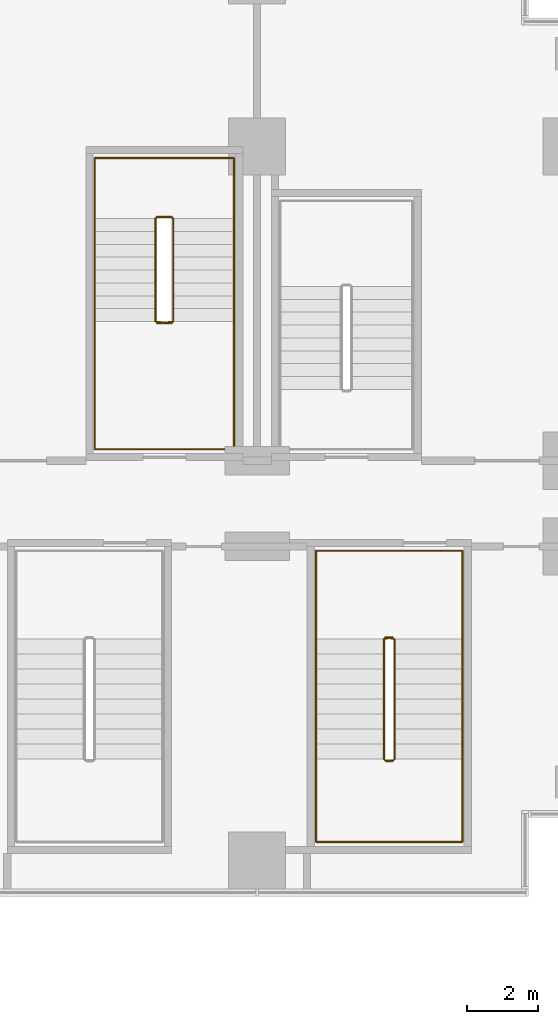
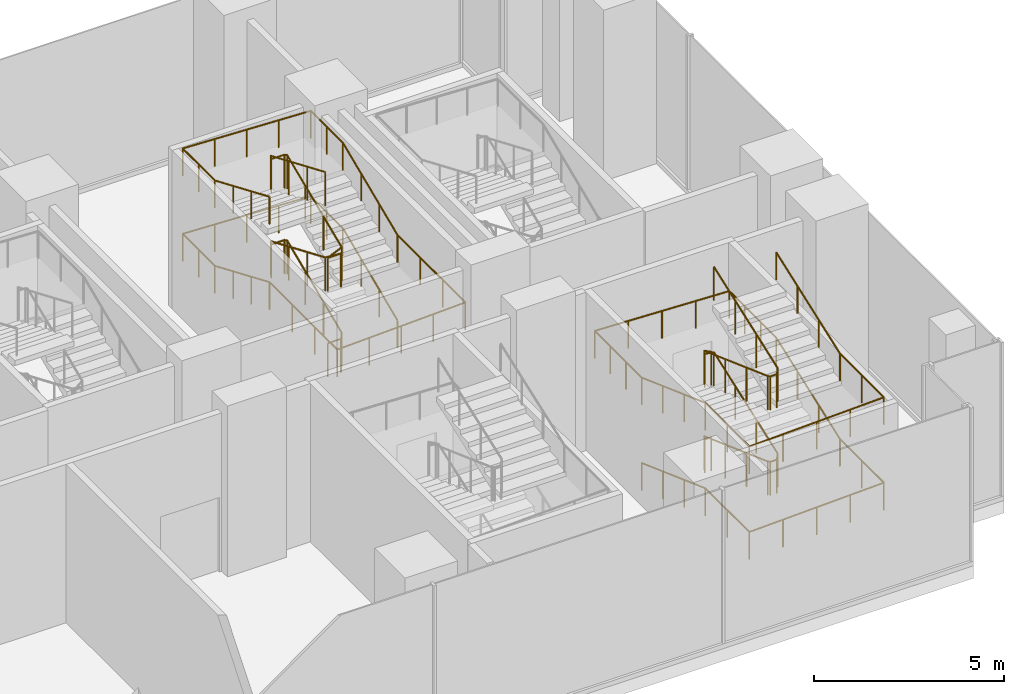
# One storey, part 29 of 30: 4 railings.
"""IFC4 building model written with IfcOpenShell, lengths in metres."""

from ifc_helpers import new_model, si_unit, direction, frame, origin, origin_2d, place, context, subcontext, project, spatial, circle, extrude, material, type_object, element, save


model = new_model("IFC4")

# Units and contexts
model_context = context("Model", 3, precision=1e-05, world=origin(), true_north=direction((0.0, 1.0)))
body_context = subcontext(model_context, "Body", "Model", "MODEL_VIEW")
ifc_project = project(units=[si_unit("LENGTHUNIT", "METRE"), si_unit("AREAUNIT", "SQUARE_METRE"), si_unit("VOLUMEUNIT", "CUBIC_METRE"), si_unit("PLANEANGLEUNIT", "RADIAN"), si_unit("MASSUNIT", "GRAM", prefix="KILO")], contexts=[model_context])

# Site, building, storey
site_placement = place(None, origin())
site = spatial("IfcSite", under=ifc_project, at=site_placement, CompositionType="ELEMENT")
building_placement = place(site_placement, origin())
building = spatial("IfcBuilding", under=site, at=building_placement, Name="Kemantara Hotel Tower", CompositionType="ELEMENT")
storey_placement = place(building_placement, frame((0.0, 0.0, 7.5)))
storey = spatial("IfcBuildingStorey", under=building, at=storey_placement, Name="L01", CompositionType="ELEMENT", Elevation=7.5)

# Railings
ifc_material = material(Name="Stainless steel balustrade", Category="steel")
railing_type_1 = type_object("IfcRailingType", Name="Stair guard 1100 mm", PredefinedType="GUARDRAIL", material=ifc_material)
railing_1_placement = place(storey_placement, frame((68.550048828125, 16.10009765625, 5.5)))
element("IfcRailing", 1, at=railing_1_placement, inside=storey, type_object=railing_type_1, Name="L01 PS1 stair guard 1", PredefinedType="GUARDRAIL", context=body_context, shape_type="SweptSolid", body=[
    extrude(circle(Radius=0.02392578125, at=origin_2d()), frame((0.0, 0.0, 1.076171875), z_axis=(0.0, 0.920535863683, -0.390658064903), x_axis=(-1.0, 0.0, 0.0)), (0.0, 0.0, 1.0), 3.12841796875),
    extrude(circle(Radius=0.02392578125, at=origin_2d()), frame((0.0, 2.8798828125, -0.14599609375), z_axis=(0.297155754911, 0.297155754911, -0.90741220768), x_axis=(-0.707106781187, 0.707106781187, 0.0)), (0.0, 0.0, 1.0), 0.16845703125),
    extrude(circle(Radius=0.02392578125, at=origin_2d()), frame((0.050048828125, 2.929931640625, -0.298828125), z_axis=(1.0, 0.0, 0.0), x_axis=(0.0, 1.0, 0.0)), (0.0, 0.0, 1.0), 0.39990234375),
    extrude(circle(Radius=0.02392578125, at=origin_2d()), frame((0.449951171875, 2.929931640625, -0.298828125), z_axis=(0.707106781187, -0.707106781187, 0.0), x_axis=(0.707106781187, 0.707106781187, 0.0)), (0.0, 0.0, 1.0), 0.07080078125),
    extrude(circle(Radius=0.02392578125, at=origin_2d()), frame((0.5, 2.8798828125, -0.298828125), z_axis=(0.0, -0.920535863683, -0.390658064903), x_axis=(1.0, 0.0, 0.0)), (0.0, 0.0, 1.0), 3.12841796875),
    extrude(circle(Radius=0.02392578125, at=origin_2d()), frame((0.5, 0.0, -1.52099609375), z_axis=(-0.941661397821, -0.104742586301, -0.319848092803), x_axis=(0.110549901152, -0.993870574751, 0.0)), (0.0, 0.0, 1.0), 0.477783203125),
    extrude(circle(Radius=0.02392578125, at=origin_2d()), frame((0.050048828125, -0.050048828125, -1.673828125), z_axis=(1.0, 0.0, 0.0), x_axis=(0.0, 1.0, 0.0)), (0.0, 0.0, 1.0), 0.39990234375),
    extrude(circle(Radius=0.02392578125, at=origin_2d()), frame((0.449951171875, -0.050048828125, -1.673828125), z_axis=(-0.993870574751, 0.110549901152, 0.0), x_axis=(-0.110549901152, -0.993870574751, 0.0)), (0.0, 0.0, 1.0), 0.45263671875),
    extrude(circle(Radius=0.02392578125, at=origin_2d()), frame((0.0, 0.0, -1.673828125), z_axis=(0.0, 0.920535863683, -0.390658064903), x_axis=(-1.0, 0.0, 0.0)), (0.0, 0.0, 1.0), 3.12841796875),
    extrude(circle(Radius=0.02392578125, at=origin_2d()), frame((0.0, 2.8798828125, -2.89599609375), z_axis=(0.297155754911, 0.297155754911, -0.90741220768), x_axis=(-0.707106781187, 0.707106781187, 0.0)), (0.0, 0.0, 1.0), 0.16845703125),
    extrude(circle(Radius=0.02392578125, at=origin_2d()), frame((0.050048828125, 2.929931640625, -3.048828125), z_axis=(1.0, 0.0, 0.0), x_axis=(0.0, 1.0, 0.0)), (0.0, 0.0, 1.0), 0.39990234375),
    extrude(circle(Radius=0.02392578125, at=origin_2d()), frame((0.449951171875, 2.929931640625, -3.048828125), z_axis=(0.707106781187, -0.707106781187, 0.0), x_axis=(0.707106781187, 0.707106781187, 0.0)), (0.0, 0.0, 1.0), 0.07080078125),
    extrude(circle(Radius=0.02392578125, at=origin_2d()), frame((0.5, 2.8798828125, -3.048828125), z_axis=(0.0, -0.920535863683, -0.390658064903), x_axis=(1.0, 0.0, 0.0)), (0.0, 0.0, 1.0), 3.12841796875),
    extrude(circle(Radius=0.02392578125, at=origin_2d()), frame((0.5, 0.0, -4.27099609375), z_axis=(-0.297155754911, -0.297155754911, -0.90741220768), x_axis=(0.707106781187, -0.707106781187, 0.0)), (0.0, 0.0, 1.0), 0.16845703125),
    extrude(circle(Radius=0.02392578125, at=origin_2d()), frame((0.449951171875, -0.050048828125, -4.423828125), z_axis=(-1.0, 0.0, 0.0), x_axis=(0.0, -1.0, 0.0)), (0.0, 0.0, 1.0), 0.39990234375),
    extrude(circle(Radius=0.02099609375, at=origin_2d()), origin(), (0.0, 0.0, 1.0), 1.052001953125),
    extrude(circle(Radius=0.02099609375, at=origin_2d()), frame((0.0, 0.9599609375, -0.407470703125)), (0.0, 0.0, 1.0), 1.052001953125),
    extrude(circle(Radius=0.02099609375, at=origin_2d()), frame((0.0, 1.919921875, -0.814697265625)), (0.0, 0.0, 1.0), 1.052001953125),
    extrude(circle(Radius=0.02099609375, at=origin_2d()), frame((0.0, 2.8798828125, -1.22216796875)), (0.0, 0.0, 1.0), 1.052001953125),
    extrude(circle(Radius=0.02099609375, at=origin_2d()), frame((0.050048828125, 2.929931640625, -1.375)), (0.0, 0.0, 1.0), 1.052001953125),
    extrude(circle(Radius=0.02099609375, at=origin_2d()), frame((0.449951171875, 2.929931640625, -1.375)), (0.0, 0.0, 1.0), 1.052001953125),
    extrude(circle(Radius=0.02099609375, at=origin_2d()), frame((0.5, 2.8798828125, -1.375)), (0.0, 0.0, 1.0), 1.052001953125),
    extrude(circle(Radius=0.02099609375, at=origin_2d()), frame((0.5, 1.919921875, -1.782470703125)), (0.0, 0.0, 1.0), 1.052001953125),
    extrude(circle(Radius=0.02099609375, at=origin_2d()), frame((0.5, 0.9599609375, -2.189697265625)), (0.0, 0.0, 1.0), 1.052001953125),
    extrude(circle(Radius=0.02099609375, at=origin_2d()), frame((0.5, 0.0, -2.59716796875)), (0.0, 0.0, 1.0), 1.052001953125),
    extrude(circle(Radius=0.02099609375, at=origin_2d()), frame((0.050048828125, -0.050048828125, -2.75)), (0.0, 0.0, 1.0), 1.052001953125),
    extrude(circle(Radius=0.02099609375, at=origin_2d()), frame((0.449951171875, -0.050048828125, -2.75)), (0.0, 0.0, 1.0), 1.052001953125),
    extrude(circle(Radius=0.02099609375, at=origin_2d()), frame((0.0, 0.0, -2.75)), (0.0, 0.0, 1.0), 1.052001953125),
    extrude(circle(Radius=0.02099609375, at=origin_2d()), frame((0.0, 0.9599609375, -3.157470703125)), (0.0, 0.0, 1.0), 1.052001953125),
    extrude(circle(Radius=0.02099609375, at=origin_2d()), frame((0.0, 1.919921875, -3.564697265625)), (0.0, 0.0, 1.0), 1.052001953125),
    extrude(circle(Radius=0.02099609375, at=origin_2d()), frame((0.0, 2.8798828125, -3.97216796875)), (0.0, 0.0, 1.0), 1.052001953125),
    extrude(circle(Radius=0.02099609375, at=origin_2d()), frame((0.050048828125, 2.929931640625, -4.125)), (0.0, 0.0, 1.0), 1.052001953125),
    extrude(circle(Radius=0.02099609375, at=origin_2d()), frame((0.449951171875, 2.929931640625, -4.125)), (0.0, 0.0, 1.0), 1.052001953125),
    extrude(circle(Radius=0.02099609375, at=origin_2d()), frame((0.5, 2.8798828125, -4.125)), (0.0, 0.0, 1.0), 1.052001953125),
    extrude(circle(Radius=0.02099609375, at=origin_2d()), frame((0.5, 1.919921875, -4.532470703125)), (0.0, 0.0, 1.0), 1.052001953125),
    extrude(circle(Radius=0.02099609375, at=origin_2d()), frame((0.5, 0.9599609375, -4.939697265625)), (0.0, 0.0, 1.0), 1.052001953125),
    extrude(circle(Radius=0.02099609375, at=origin_2d()), frame((0.5, 0.0, -5.34716796875)), (0.0, 0.0, 1.0), 1.052001953125),
    extrude(circle(Radius=0.02099609375, at=origin_2d()), frame((0.449951171875, -0.050048828125, -5.5)), (0.0, 0.0, 1.0), 1.052001953125),
    extrude(circle(Radius=0.02099609375, at=origin_2d()), frame((0.050048828125, -0.050048828125, -5.5)), (0.0, 0.0, 1.0), 1.052001953125),
])
railing_2_placement = place(storey_placement, frame((75.25, 7.199951171875, 5.5)))
element("IfcRailing", 2, at=railing_2_placement, inside=storey, type_object=railing_type_1, Name="L01 PS5 stair guard 1", PredefinedType="GUARDRAIL", context=body_context, shape_type="SweptSolid", body=[
    extrude(circle(Radius=0.02392578125, at=origin_2d()), frame((0.0, 0.0, 1.076171875), z_axis=(0.0, -0.93975753056, -0.341841752506), x_axis=(1.0, 0.0, 0.0)), (0.0, 0.0, 1.0), 3.5751953125),
    extrude(circle(Radius=0.02392578125, at=origin_2d()), frame((0.0, -3.35986328125, -0.14599609375), z_axis=(-0.297155754911, -0.297155754911, -0.90741220768), x_axis=(0.707106781187, -0.707106781187, 0.0)), (0.0, 0.0, 1.0), 0.16845703125),
    extrude(circle(Radius=0.02392578125, at=origin_2d()), frame((-0.050048828125, -3.409912109375, -0.298828125), z_axis=(-1.0, 0.0, 0.0), x_axis=(0.0, -1.0, 0.0)), (0.0, 0.0, 1.0), 0.199951171875),
    extrude(circle(Radius=0.02392578125, at=origin_2d()), frame((-0.25, -3.409912109375, -0.298828125), z_axis=(-0.707106781187, 0.707106781187, 0.0), x_axis=(-0.707106781187, -0.707106781187, 0.0)), (0.0, 0.0, 1.0), 0.07080078125),
    extrude(circle(Radius=0.02392578125, at=origin_2d()), frame((-0.300048828125, -3.35986328125, -0.298828125), z_axis=(0.0, 0.93975753056, -0.341841752506), x_axis=(-1.0, 0.0, 0.0)), (0.0, 0.0, 1.0), 3.5751953125),
    extrude(circle(Radius=0.02392578125, at=origin_2d()), frame((-0.300048828125, 0.0, -1.52099609375), z_axis=(0.841019323802, 0.168368126347, -0.514138766309), x_axis=(-0.196300278283, 0.98054382908, 0.0)), (0.0, 0.0, 1.0), 0.29736328125),
    extrude(circle(Radius=0.02392578125, at=origin_2d()), frame((-0.050048828125, 0.050048828125, -1.673828125), z_axis=(-1.0, 0.0, 0.0), x_axis=(0.0, -1.0, 0.0)), (0.0, 0.0, 1.0), 0.199951171875),
    extrude(circle(Radius=0.02392578125, at=origin_2d()), frame((-0.25, 0.050048828125, -1.673828125), z_axis=(0.98054382908, -0.196300278283, 0.0), x_axis=(0.196300278283, 0.98054382908, 0.0)), (0.0, 0.0, 1.0), 0.2548828125),
    extrude(circle(Radius=0.02392578125, at=origin_2d()), frame((0.0, 0.0, -1.673828125), z_axis=(0.0, -0.93975753056, -0.341841752506), x_axis=(1.0, 0.0, 0.0)), (0.0, 0.0, 1.0), 3.5751953125),
    extrude(circle(Radius=0.02392578125, at=origin_2d()), frame((0.0, -3.35986328125, -2.89599609375), z_axis=(-0.297155754911, -0.297155754911, -0.90741220768), x_axis=(0.707106781187, -0.707106781187, 0.0)), (0.0, 0.0, 1.0), 0.16845703125),
    extrude(circle(Radius=0.02392578125, at=origin_2d()), frame((-0.050048828125, -3.409912109375, -3.048828125), z_axis=(-1.0, 0.0, 0.0), x_axis=(0.0, -1.0, 0.0)), (0.0, 0.0, 1.0), 0.199951171875),
    extrude(circle(Radius=0.02392578125, at=origin_2d()), frame((-0.25, -3.409912109375, -3.048828125), z_axis=(-0.707106781187, 0.707106781187, 0.0), x_axis=(-0.707106781187, -0.707106781187, 0.0)), (0.0, 0.0, 1.0), 0.07080078125),
    extrude(circle(Radius=0.02392578125, at=origin_2d()), frame((-0.300048828125, -3.35986328125, -3.048828125), z_axis=(0.0, 0.93975753056, -0.341841752506), x_axis=(-1.0, 0.0, 0.0)), (0.0, 0.0, 1.0), 3.5751953125),
    extrude(circle(Radius=0.02392578125, at=origin_2d()), frame((-0.300048828125, 0.0, -4.27099609375), z_axis=(0.297155754911, 0.297155754911, -0.90741220768), x_axis=(-0.707106781187, 0.707106781187, 0.0)), (0.0, 0.0, 1.0), 0.16845703125),
    extrude(circle(Radius=0.02392578125, at=origin_2d()), frame((-0.25, 0.050048828125, -4.423828125), z_axis=(1.0, 0.0, 0.0), x_axis=(0.0, 1.0, 0.0)), (0.0, 0.0, 1.0), 0.199951171875),
    extrude(circle(Radius=0.02099609375, at=origin_2d()), origin(), (0.0, 0.0, 1.0), 1.052001953125),
    extrude(circle(Radius=0.02099609375, at=origin_2d()), frame((0.0, -1.119873046875, -0.407470703125)), (0.0, 0.0, 1.0), 1.052001953125),
    extrude(circle(Radius=0.02099609375, at=origin_2d()), frame((0.0, -2.239990234375, -0.814697265625)), (0.0, 0.0, 1.0), 1.052001953125),
    extrude(circle(Radius=0.02099609375, at=origin_2d()), frame((0.0, -3.35986328125, -1.22216796875)), (0.0, 0.0, 1.0), 1.052001953125),
    extrude(circle(Radius=0.02099609375, at=origin_2d()), frame((-0.050048828125, -3.409912109375, -1.375)), (0.0, 0.0, 1.0), 1.052001953125),
    extrude(circle(Radius=0.02099609375, at=origin_2d()), frame((-0.25, -3.409912109375, -1.375)), (0.0, 0.0, 1.0), 1.052001953125),
    extrude(circle(Radius=0.02099609375, at=origin_2d()), frame((-0.300048828125, -3.35986328125, -1.375)), (0.0, 0.0, 1.0), 1.052001953125),
    extrude(circle(Radius=0.02099609375, at=origin_2d()), frame((-0.300048828125, -2.239990234375, -1.782470703125)), (0.0, 0.0, 1.0), 1.052001953125),
    extrude(circle(Radius=0.02099609375, at=origin_2d()), frame((-0.300048828125, -1.119873046875, -2.189697265625)), (0.0, 0.0, 1.0), 1.052001953125),
    extrude(circle(Radius=0.02099609375, at=origin_2d()), frame((-0.300048828125, 0.0, -2.59716796875)), (0.0, 0.0, 1.0), 1.052001953125),
    extrude(circle(Radius=0.02099609375, at=origin_2d()), frame((-0.050048828125, 0.050048828125, -2.75)), (0.0, 0.0, 1.0), 1.052001953125),
    extrude(circle(Radius=0.02099609375, at=origin_2d()), frame((-0.25, 0.050048828125, -2.75)), (0.0, 0.0, 1.0), 1.052001953125),
    extrude(circle(Radius=0.02099609375, at=origin_2d()), frame((0.0, 0.0, -2.75)), (0.0, 0.0, 1.0), 1.052001953125),
    extrude(circle(Radius=0.02099609375, at=origin_2d()), frame((0.0, -1.119873046875, -3.157470703125)), (0.0, 0.0, 1.0), 1.052001953125),
    extrude(circle(Radius=0.02099609375, at=origin_2d()), frame((0.0, -2.239990234375, -3.564697265625)), (0.0, 0.0, 1.0), 1.052001953125),
    extrude(circle(Radius=0.02099609375, at=origin_2d()), frame((0.0, -3.35986328125, -3.97216796875)), (0.0, 0.0, 1.0), 1.052001953125),
    extrude(circle(Radius=0.02099609375, at=origin_2d()), frame((-0.050048828125, -3.409912109375, -4.125)), (0.0, 0.0, 1.0), 1.052001953125),
    extrude(circle(Radius=0.02099609375, at=origin_2d()), frame((-0.25, -3.409912109375, -4.125)), (0.0, 0.0, 1.0), 1.052001953125),
    extrude(circle(Radius=0.02099609375, at=origin_2d()), frame((-0.300048828125, -3.35986328125, -4.125)), (0.0, 0.0, 1.0), 1.052001953125),
    extrude(circle(Radius=0.02099609375, at=origin_2d()), frame((-0.300048828125, -2.239990234375, -4.532470703125)), (0.0, 0.0, 1.0), 1.052001953125),
    extrude(circle(Radius=0.02099609375, at=origin_2d()), frame((-0.300048828125, -1.119873046875, -4.939697265625)), (0.0, 0.0, 1.0), 1.052001953125),
    extrude(circle(Radius=0.02099609375, at=origin_2d()), frame((-0.300048828125, 0.0, -5.34716796875)), (0.0, 0.0, 1.0), 1.052001953125),
    extrude(circle(Radius=0.02099609375, at=origin_2d()), frame((-0.25, 0.050048828125, -5.5)), (0.0, 0.0, 1.0), 1.052001953125),
    extrude(circle(Radius=0.02099609375, at=origin_2d()), frame((-0.050048828125, 0.050048828125, -5.5)), (0.0, 0.0, 1.0), 1.052001953125),
])
railing_type_2 = type_object("IfcRailingType", Name="Stair handrail 900 mm", PredefinedType="HANDRAIL", material=ifc_material)
railing_3_placement = place(storey_placement, frame((70.75, 16.10009765625, 0.15283203125)))
element("IfcRailing", 3, at=railing_3_placement, inside=storey, type_object=railing_type_2, Name="L01 PS1 stair handrail 1", PredefinedType="HANDRAIL", context=body_context, shape_type="SweptSolid", body=[
    extrude(circle(Radius=0.02392578125, at=origin_2d()), frame((0.0, 0.0, 0.8759765625), z_axis=(0.0, 0.920535863683, 0.390658064903), x_axis=(-1.0, 0.0, 0.0)), (0.0, 0.0, 1.0), 3.12841796875),
    extrude(circle(Radius=0.02392578125, at=origin_2d()), frame((0.0, 2.8798828125, 2.09814453125), z_axis=(0.0, 1.0, 0.0), x_axis=(-1.0, 0.0, 0.0)), (0.0, 0.0, 1.0), 1.699951171875),
    extrude(circle(Radius=0.02392578125, at=origin_2d()), frame((0.0, 4.579833984375, 2.09814453125), z_axis=(-0.999233006938, 0.0, 0.039158624161), x_axis=(0.0, -1.0, 0.0)), (0.0, 0.0, 1.0), 3.90283203125),
    extrude(circle(Radius=0.02392578125, at=origin_2d()), frame((-3.89990234375, 4.579833984375, 2.2509765625), z_axis=(0.0, -1.0, 0.0), x_axis=(1.0, 0.0, 0.0)), (0.0, 0.0, 1.0), 1.699951171875),
    extrude(circle(Radius=0.02392578125, at=origin_2d()), frame((-3.89990234375, 2.8798828125, 2.2509765625), z_axis=(0.0, -0.920535863683, 0.390658064903), x_axis=(1.0, 0.0, 0.0)), (0.0, 0.0, 1.0), 3.12841796875),
    extrude(circle(Radius=0.02392578125, at=origin_2d()), frame((-3.89990234375, 0.0, 3.47314453125), z_axis=(0.0, -1.0, 0.0), x_axis=(1.0, 0.0, 0.0)), (0.0, 0.0, 1.0), 3.580078125),
    extrude(circle(Radius=0.02392578125, at=origin_2d()), frame((-3.89990234375, -3.580078125, 3.47314453125), z_axis=(0.999233006938, 0.0, 0.039158624161), x_axis=(0.0, 1.0, 0.0)), (0.0, 0.0, 1.0), 3.90283203125),
    extrude(circle(Radius=0.02392578125, at=origin_2d()), frame((0.0, -3.580078125, 3.6259765625), z_axis=(0.0, 1.0, 0.0), x_axis=(-1.0, 0.0, 0.0)), (0.0, 0.0, 1.0), 3.580078125),
    extrude(circle(Radius=0.02392578125, at=origin_2d()), frame((0.0, 0.0, 3.6259765625), z_axis=(0.0, 0.920535863683, 0.390658064903), x_axis=(-1.0, 0.0, 0.0)), (0.0, 0.0, 1.0), 3.12841796875),
    extrude(circle(Radius=0.02392578125, at=origin_2d()), frame((0.0, 2.8798828125, 4.84814453125), z_axis=(0.0, 1.0, 0.0), x_axis=(-1.0, 0.0, 0.0)), (0.0, 0.0, 1.0), 1.699951171875),
    extrude(circle(Radius=0.02392578125, at=origin_2d()), frame((0.0, 4.579833984375, 4.84814453125), z_axis=(-0.999233006938, 0.0, 0.039158624161), x_axis=(0.0, -1.0, 0.0)), (0.0, 0.0, 1.0), 3.90283203125),
    extrude(circle(Radius=0.02392578125, at=origin_2d()), frame((-3.89990234375, 4.579833984375, 5.0009765625), z_axis=(0.0, -1.0, 0.0), x_axis=(1.0, 0.0, 0.0)), (0.0, 0.0, 1.0), 1.699951171875),
    extrude(circle(Radius=0.02392578125, at=origin_2d()), frame((-3.89990234375, 2.8798828125, 5.0009765625), z_axis=(0.0, -0.920535863683, 0.390658064903), x_axis=(1.0, 0.0, 0.0)), (0.0, 0.0, 1.0), 3.12841796875),
    extrude(circle(Radius=0.02099609375, at=origin_2d()), origin(), (0.0, 0.0, 1.0), 0.851806640625),
    extrude(circle(Radius=0.02099609375, at=origin_2d()), frame((0.0, 0.9599609375, 0.407470703125)), (0.0, 0.0, 1.0), 0.851806640625),
    extrude(circle(Radius=0.02099609375, at=origin_2d()), frame((0.0, 1.919921875, 0.814697265625)), (0.0, 0.0, 1.0), 0.851806640625),
    extrude(circle(Radius=0.02099609375, at=origin_2d()), frame((0.0, 2.8798828125, 1.22216796875)), (0.0, 0.0, 1.0), 0.851806640625),
    extrude(circle(Radius=0.02099609375, at=origin_2d()), frame((0.0, 3.72998046875, 1.22216796875)), (0.0, 0.0, 1.0), 0.851806640625),
    extrude(circle(Radius=0.02099609375, at=origin_2d()), frame((0.0, 4.579833984375, 1.22216796875)), (0.0, 0.0, 1.0), 0.851806640625),
    extrude(circle(Radius=0.02099609375, at=origin_2d()), frame((-0.97509765625, 4.579833984375, 1.26025390625)), (0.0, 0.0, 1.0), 0.851806640625),
    extrude(circle(Radius=0.02099609375, at=origin_2d()), frame((-1.949951171875, 4.579833984375, 1.298583984375)), (0.0, 0.0, 1.0), 0.851806640625),
    extrude(circle(Radius=0.02099609375, at=origin_2d()), frame((-2.9248046875, 4.579833984375, 1.3369140625)), (0.0, 0.0, 1.0), 0.851806640625),
    extrude(circle(Radius=0.02099609375, at=origin_2d()), frame((-3.89990234375, 4.579833984375, 1.375)), (0.0, 0.0, 1.0), 0.851806640625),
    extrude(circle(Radius=0.02099609375, at=origin_2d()), frame((-3.89990234375, 3.72998046875, 1.375)), (0.0, 0.0, 1.0), 0.851806640625),
    extrude(circle(Radius=0.02099609375, at=origin_2d()), frame((-3.89990234375, 2.8798828125, 1.375)), (0.0, 0.0, 1.0), 0.851806640625),
    extrude(circle(Radius=0.02099609375, at=origin_2d()), frame((-3.89990234375, 1.919921875, 1.782470703125)), (0.0, 0.0, 1.0), 0.851806640625),
    extrude(circle(Radius=0.02099609375, at=origin_2d()), frame((-3.89990234375, 0.9599609375, 2.189697265625)), (0.0, 0.0, 1.0), 0.851806640625),
    extrude(circle(Radius=0.02099609375, at=origin_2d()), frame((-3.89990234375, 0.0, 2.59716796875)), (0.0, 0.0, 1.0), 0.851806640625),
    extrude(circle(Radius=0.02099609375, at=origin_2d()), frame((-3.89990234375, -1.193359375, 2.59716796875)), (0.0, 0.0, 1.0), 0.851806640625),
    extrude(circle(Radius=0.02099609375, at=origin_2d()), frame((-3.89990234375, -2.38671875, 2.59716796875)), (0.0, 0.0, 1.0), 0.851806640625),
    extrude(circle(Radius=0.02099609375, at=origin_2d()), frame((-3.89990234375, -3.580078125, 2.59716796875)), (0.0, 0.0, 1.0), 0.851806640625),
    extrude(circle(Radius=0.02099609375, at=origin_2d()), frame((-2.9248046875, -3.580078125, 2.63525390625)), (0.0, 0.0, 1.0), 0.851806640625),
    extrude(circle(Radius=0.02099609375, at=origin_2d()), frame((-1.949951171875, -3.580078125, 2.673583984375)), (0.0, 0.0, 1.0), 0.851806640625),
    extrude(circle(Radius=0.02099609375, at=origin_2d()), frame((-0.97509765625, -3.580078125, 2.7119140625)), (0.0, 0.0, 1.0), 0.851806640625),
    extrude(circle(Radius=0.02099609375, at=origin_2d()), frame((0.0, -3.580078125, 2.75)), (0.0, 0.0, 1.0), 0.851806640625),
    extrude(circle(Radius=0.02099609375, at=origin_2d()), frame((0.0, -2.38671875, 2.75)), (0.0, 0.0, 1.0), 0.851806640625),
    extrude(circle(Radius=0.02099609375, at=origin_2d()), frame((0.0, -1.193359375, 2.75)), (0.0, 0.0, 1.0), 0.851806640625),
    extrude(circle(Radius=0.02099609375, at=origin_2d()), frame((0.0, 0.0, 2.75)), (0.0, 0.0, 1.0), 0.851806640625),
    extrude(circle(Radius=0.02099609375, at=origin_2d()), frame((0.0, 0.9599609375, 3.157470703125)), (0.0, 0.0, 1.0), 0.851806640625),
    extrude(circle(Radius=0.02099609375, at=origin_2d()), frame((0.0, 1.919921875, 3.564697265625)), (0.0, 0.0, 1.0), 0.851806640625),
    extrude(circle(Radius=0.02099609375, at=origin_2d()), frame((0.0, 2.8798828125, 3.97216796875)), (0.0, 0.0, 1.0), 0.851806640625),
    extrude(circle(Radius=0.02099609375, at=origin_2d()), frame((0.0, 3.72998046875, 3.97216796875)), (0.0, 0.0, 1.0), 0.851806640625),
    extrude(circle(Radius=0.02099609375, at=origin_2d()), frame((0.0, 4.579833984375, 3.97216796875)), (0.0, 0.0, 1.0), 0.851806640625),
    extrude(circle(Radius=0.02099609375, at=origin_2d()), frame((-0.97509765625, 4.579833984375, 4.01025390625)), (0.0, 0.0, 1.0), 0.851806640625),
    extrude(circle(Radius=0.02099609375, at=origin_2d()), frame((-1.949951171875, 4.579833984375, 4.048583984375)), (0.0, 0.0, 1.0), 0.851806640625),
    extrude(circle(Radius=0.02099609375, at=origin_2d()), frame((-2.9248046875, 4.579833984375, 4.0869140625)), (0.0, 0.0, 1.0), 0.851806640625),
    extrude(circle(Radius=0.02099609375, at=origin_2d()), frame((-3.89990234375, 4.579833984375, 4.125)), (0.0, 0.0, 1.0), 0.851806640625),
    extrude(circle(Radius=0.02099609375, at=origin_2d()), frame((-3.89990234375, 3.72998046875, 4.125)), (0.0, 0.0, 1.0), 0.851806640625),
    extrude(circle(Radius=0.02099609375, at=origin_2d()), frame((-3.89990234375, 2.8798828125, 4.125)), (0.0, 0.0, 1.0), 0.851806640625),
    extrude(circle(Radius=0.02099609375, at=origin_2d()), frame((-3.89990234375, 1.919921875, 4.532470703125)), (0.0, 0.0, 1.0), 0.851806640625),
    extrude(circle(Radius=0.02099609375, at=origin_2d()), frame((-3.89990234375, 0.9599609375, 4.939697265625)), (0.0, 0.0, 1.0), 0.851806640625),
    extrude(circle(Radius=0.02099609375, at=origin_2d()), frame((-3.89990234375, 0.0, 5.34716796875)), (0.0, 0.0, 1.0), 0.851806640625),
])
railing_4_placement = place(storey_placement, frame((73.050048828125, 7.199951171875, 0.15283203125)))
element("IfcRailing", 4, at=railing_4_placement, inside=storey, type_object=railing_type_2, Name="L01 PS5 stair handrail 1", PredefinedType="HANDRAIL", context=body_context, shape_type="SweptSolid", body=[
    extrude(circle(Radius=0.02392578125, at=origin_2d()), frame((0.0, 0.0, 0.8759765625), z_axis=(0.0, -0.93975753056, 0.341841752506), x_axis=(1.0, 0.0, 0.0)), (0.0, 0.0, 1.0), 3.5751953125),
    extrude(circle(Radius=0.02392578125, at=origin_2d()), frame((0.0, -3.35986328125, 2.09814453125), z_axis=(0.0, -1.0, 0.0), x_axis=(1.0, 0.0, 0.0)), (0.0, 0.0, 1.0), 2.320068359375),
    extrude(circle(Radius=0.02392578125, at=origin_2d()), frame((0.0, -5.679931640625, 2.09814453125), z_axis=(0.999305919635, 0.0, 0.03725156349), x_axis=(0.0, 1.0, 0.0)), (0.0, 0.0, 1.0), 4.102783203125),
    extrude(circle(Radius=0.02392578125, at=origin_2d()), frame((4.099853515625, -5.679931640625, 2.2509765625), z_axis=(0.0, 1.0, 0.0), x_axis=(-1.0, 0.0, 0.0)), (0.0, 0.0, 1.0), 2.320068359375),
    extrude(circle(Radius=0.02392578125, at=origin_2d()), frame((4.099853515625, -3.35986328125, 2.2509765625), z_axis=(0.0, 0.93975753056, 0.341841752506), x_axis=(-1.0, 0.0, 0.0)), (0.0, 0.0, 1.0), 3.5751953125),
    extrude(circle(Radius=0.02392578125, at=origin_2d()), frame((4.099853515625, 0.0, 3.47314453125), z_axis=(0.0, 1.0, 0.0), x_axis=(-1.0, 0.0, 0.0)), (0.0, 0.0, 1.0), 2.47998046875),
    extrude(circle(Radius=0.02392578125, at=origin_2d()), frame((4.099853515625, 2.47998046875, 3.47314453125), z_axis=(-0.999305919635, 0.0, 0.03725156349), x_axis=(0.0, -1.0, 0.0)), (0.0, 0.0, 1.0), 4.102783203125),
    extrude(circle(Radius=0.02392578125, at=origin_2d()), frame((0.0, 2.47998046875, 3.6259765625), z_axis=(0.0, -1.0, 0.0), x_axis=(1.0, 0.0, 0.0)), (0.0, 0.0, 1.0), 2.47998046875),
    extrude(circle(Radius=0.02392578125, at=origin_2d()), frame((0.0, 0.0, 3.6259765625), z_axis=(0.0, -0.93975753056, 0.341841752506), x_axis=(1.0, 0.0, 0.0)), (0.0, 0.0, 1.0), 3.5751953125),
    extrude(circle(Radius=0.02392578125, at=origin_2d()), frame((0.0, -3.35986328125, 4.84814453125), z_axis=(0.0, -1.0, 0.0), x_axis=(1.0, 0.0, 0.0)), (0.0, 0.0, 1.0), 2.320068359375),
    extrude(circle(Radius=0.02392578125, at=origin_2d()), frame((0.0, -5.679931640625, 4.84814453125), z_axis=(0.999305919635, 0.0, 0.03725156349), x_axis=(0.0, 1.0, 0.0)), (0.0, 0.0, 1.0), 4.102783203125),
    extrude(circle(Radius=0.02392578125, at=origin_2d()), frame((4.099853515625, -5.679931640625, 5.0009765625), z_axis=(0.0, 1.0, 0.0), x_axis=(-1.0, 0.0, 0.0)), (0.0, 0.0, 1.0), 2.320068359375),
    extrude(circle(Radius=0.02392578125, at=origin_2d()), frame((4.099853515625, -3.35986328125, 5.0009765625), z_axis=(0.0, 0.93975753056, 0.341841752506), x_axis=(-1.0, 0.0, 0.0)), (0.0, 0.0, 1.0), 3.5751953125),
    extrude(circle(Radius=0.02099609375, at=origin_2d()), origin(), (0.0, 0.0, 1.0), 0.851806640625),
    extrude(circle(Radius=0.02099609375, at=origin_2d()), frame((0.0, -1.119873046875, 0.407470703125)), (0.0, 0.0, 1.0), 0.851806640625),
    extrude(circle(Radius=0.02099609375, at=origin_2d()), frame((0.0, -2.239990234375, 0.814697265625)), (0.0, 0.0, 1.0), 0.851806640625),
    extrude(circle(Radius=0.02099609375, at=origin_2d()), frame((0.0, -3.35986328125, 1.22216796875)), (0.0, 0.0, 1.0), 0.851806640625),
    extrude(circle(Radius=0.02099609375, at=origin_2d()), frame((0.0, -4.52001953125, 1.22216796875)), (0.0, 0.0, 1.0), 0.851806640625),
    extrude(circle(Radius=0.02099609375, at=origin_2d()), frame((0.0, -5.679931640625, 1.22216796875)), (0.0, 0.0, 1.0), 0.851806640625),
    extrude(circle(Radius=0.02099609375, at=origin_2d()), frame((1.02490234375, -5.679931640625, 1.26025390625)), (0.0, 0.0, 1.0), 0.851806640625),
    extrude(circle(Radius=0.02099609375, at=origin_2d()), frame((2.0498046875, -5.679931640625, 1.298583984375)), (0.0, 0.0, 1.0), 0.851806640625),
    extrude(circle(Radius=0.02099609375, at=origin_2d()), frame((3.074951171875, -5.679931640625, 1.3369140625)), (0.0, 0.0, 1.0), 0.851806640625),
    extrude(circle(Radius=0.02099609375, at=origin_2d()), frame((4.099853515625, -5.679931640625, 1.375)), (0.0, 0.0, 1.0), 0.851806640625),
    extrude(circle(Radius=0.02099609375, at=origin_2d()), frame((4.099853515625, -4.52001953125, 1.375)), (0.0, 0.0, 1.0), 0.851806640625),
    extrude(circle(Radius=0.02099609375, at=origin_2d()), frame((4.099853515625, -3.35986328125, 1.375)), (0.0, 0.0, 1.0), 0.851806640625),
    extrude(circle(Radius=0.02099609375, at=origin_2d()), frame((4.099853515625, -2.239990234375, 1.782470703125)), (0.0, 0.0, 1.0), 0.851806640625),
    extrude(circle(Radius=0.02099609375, at=origin_2d()), frame((4.099853515625, -1.119873046875, 2.189697265625)), (0.0, 0.0, 1.0), 0.851806640625),
    extrude(circle(Radius=0.02099609375, at=origin_2d()), frame((4.099853515625, 0.0, 2.59716796875)), (0.0, 0.0, 1.0), 0.851806640625),
    extrude(circle(Radius=0.02099609375, at=origin_2d()), frame((4.099853515625, 0.82666015625, 2.59716796875)), (0.0, 0.0, 1.0), 0.851806640625),
    extrude(circle(Radius=0.02099609375, at=origin_2d()), frame((4.099853515625, 1.6533203125, 2.59716796875)), (0.0, 0.0, 1.0), 0.851806640625),
    extrude(circle(Radius=0.02099609375, at=origin_2d()), frame((4.099853515625, 2.47998046875, 2.59716796875)), (0.0, 0.0, 1.0), 0.851806640625),
    extrude(circle(Radius=0.02099609375, at=origin_2d()), frame((3.074951171875, 2.47998046875, 2.63525390625)), (0.0, 0.0, 1.0), 0.851806640625),
    extrude(circle(Radius=0.02099609375, at=origin_2d()), frame((2.0498046875, 2.47998046875, 2.673583984375)), (0.0, 0.0, 1.0), 0.851806640625),
    extrude(circle(Radius=0.02099609375, at=origin_2d()), frame((1.02490234375, 2.47998046875, 2.7119140625)), (0.0, 0.0, 1.0), 0.851806640625),
    extrude(circle(Radius=0.02099609375, at=origin_2d()), frame((0.0, 2.47998046875, 2.75)), (0.0, 0.0, 1.0), 0.851806640625),
    extrude(circle(Radius=0.02099609375, at=origin_2d()), frame((0.0, 1.6533203125, 2.75)), (0.0, 0.0, 1.0), 0.851806640625),
    extrude(circle(Radius=0.02099609375, at=origin_2d()), frame((0.0, 0.82666015625, 2.75)), (0.0, 0.0, 1.0), 0.851806640625),
    extrude(circle(Radius=0.02099609375, at=origin_2d()), frame((0.0, 0.0, 2.75)), (0.0, 0.0, 1.0), 0.851806640625),
    extrude(circle(Radius=0.02099609375, at=origin_2d()), frame((0.0, -1.119873046875, 3.157470703125)), (0.0, 0.0, 1.0), 0.851806640625),
    extrude(circle(Radius=0.02099609375, at=origin_2d()), frame((0.0, -2.239990234375, 3.564697265625)), (0.0, 0.0, 1.0), 0.851806640625),
    extrude(circle(Radius=0.02099609375, at=origin_2d()), frame((0.0, -3.35986328125, 3.97216796875)), (0.0, 0.0, 1.0), 0.851806640625),
    extrude(circle(Radius=0.02099609375, at=origin_2d()), frame((0.0, -4.52001953125, 3.97216796875)), (0.0, 0.0, 1.0), 0.851806640625),
    extrude(circle(Radius=0.02099609375, at=origin_2d()), frame((0.0, -5.679931640625, 3.97216796875)), (0.0, 0.0, 1.0), 0.851806640625),
    extrude(circle(Radius=0.02099609375, at=origin_2d()), frame((1.02490234375, -5.679931640625, 4.01025390625)), (0.0, 0.0, 1.0), 0.851806640625),
    extrude(circle(Radius=0.02099609375, at=origin_2d()), frame((2.0498046875, -5.679931640625, 4.048583984375)), (0.0, 0.0, 1.0), 0.851806640625),
    extrude(circle(Radius=0.02099609375, at=origin_2d()), frame((3.074951171875, -5.679931640625, 4.0869140625)), (0.0, 0.0, 1.0), 0.851806640625),
    extrude(circle(Radius=0.02099609375, at=origin_2d()), frame((4.099853515625, -5.679931640625, 4.125)), (0.0, 0.0, 1.0), 0.851806640625),
    extrude(circle(Radius=0.02099609375, at=origin_2d()), frame((4.099853515625, -4.52001953125, 4.125)), (0.0, 0.0, 1.0), 0.851806640625),
    extrude(circle(Radius=0.02099609375, at=origin_2d()), frame((4.099853515625, -3.35986328125, 4.125)), (0.0, 0.0, 1.0), 0.851806640625),
    extrude(circle(Radius=0.02099609375, at=origin_2d()), frame((4.099853515625, -2.239990234375, 4.532470703125)), (0.0, 0.0, 1.0), 0.851806640625),
    extrude(circle(Radius=0.02099609375, at=origin_2d()), frame((4.099853515625, -1.119873046875, 4.939697265625)), (0.0, 0.0, 1.0), 0.851806640625),
    extrude(circle(Radius=0.02099609375, at=origin_2d()), frame((4.099853515625, 0.0, 5.34716796875)), (0.0, 0.0, 1.0), 0.851806640625),
])

save(model, "model.ifc")
